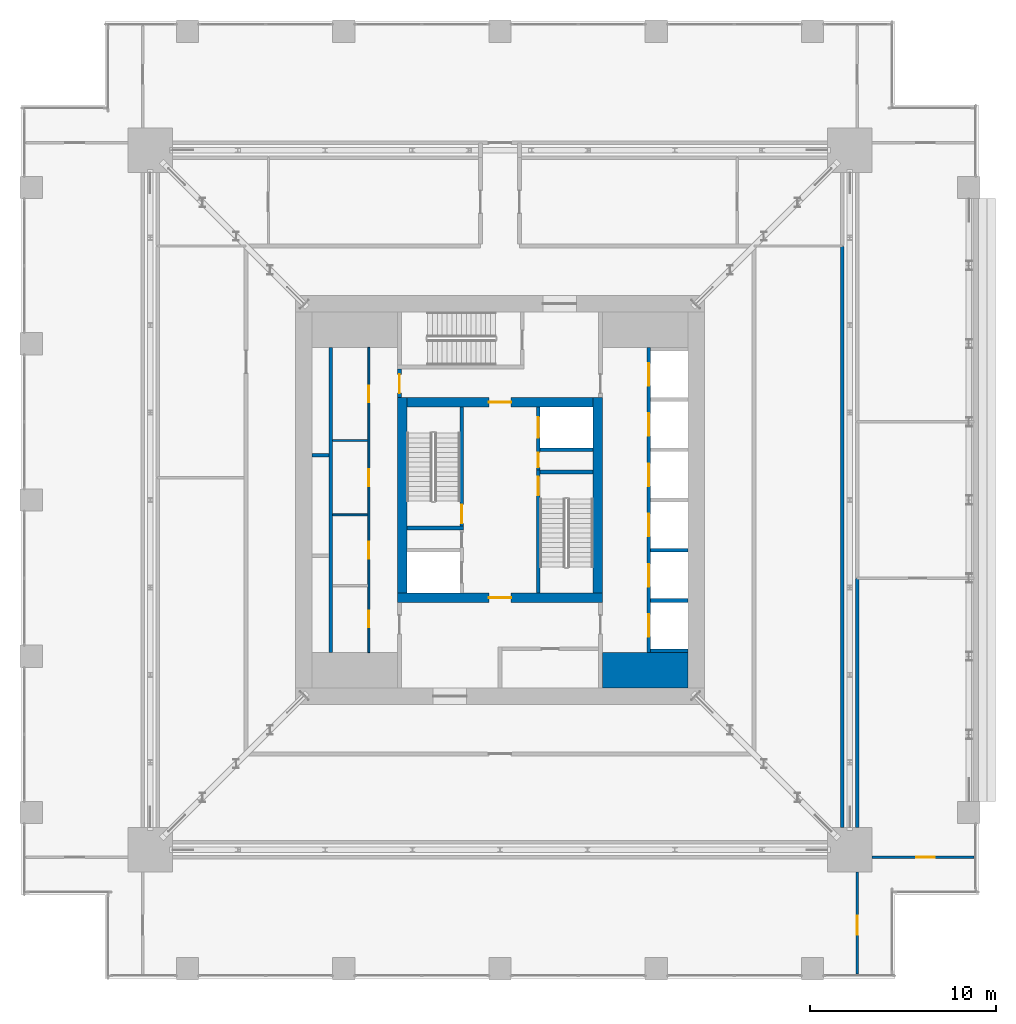
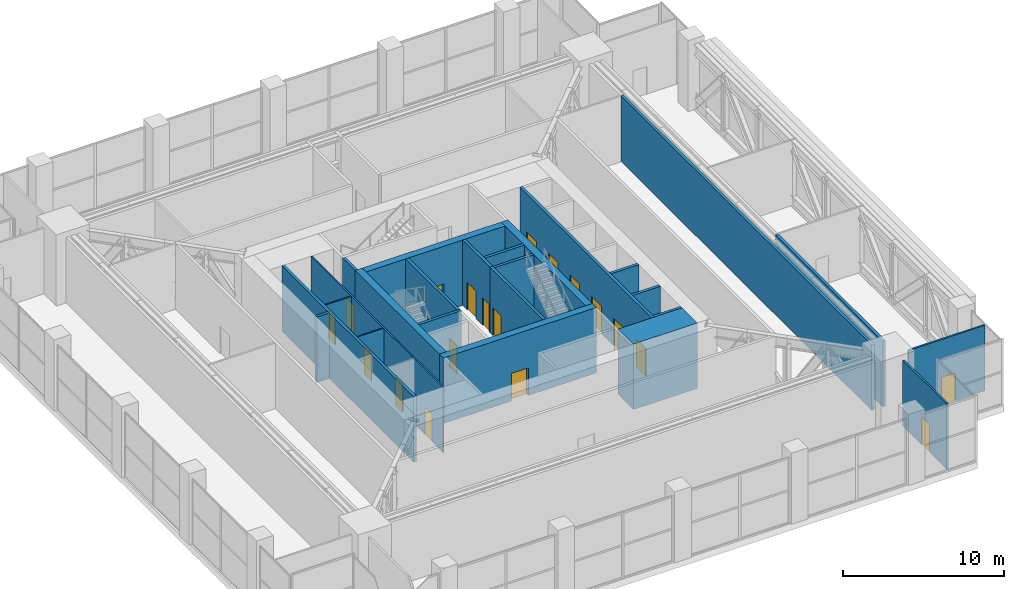
# One storey, part 16 of 21: 25 walls, 19 doors, 19 openings.
"""IFC4 building model written with IfcOpenShell, lengths in metres."""

from ifc_helpers import new_model, si_unit, direction, frame, frame_2d, origin, place, context, subcontext, project, spatial, rectangle, extrude, material, layer, layer_set, type_object, element, fill, save


model = new_model("IFC4")

# Units and contexts
model_context = context("Model", 3, precision=1e-05, world=origin(), true_north=direction((0.0, 1.0)))
body_context = subcontext(model_context, "Body", "Model", "MODEL_VIEW")
ifc_project = project(units=[si_unit("LENGTHUNIT", "METRE"), si_unit("AREAUNIT", "SQUARE_METRE"), si_unit("VOLUMEUNIT", "CUBIC_METRE"), si_unit("PLANEANGLEUNIT", "RADIAN"), si_unit("MASSUNIT", "GRAM", prefix="KILO")], contexts=[model_context])

# Site, building, storey
site_placement = place(None, origin())
site = spatial("IfcSite", under=ifc_project, at=site_placement, CompositionType="ELEMENT")
building_placement = place(site_placement, origin())
building = spatial("IfcBuilding", under=site, at=building_placement, Name="Khepri Terraces", CompositionType="ELEMENT")
storey_placement = place(building_placement, frame((0.0, 0.0, 235.199951171875)))
storey = spatial("IfcBuildingStorey", under=building, at=storey_placement, Name="L56", CompositionType="ELEMENT", Elevation=235.199951171875)

# Wall
ifc_material_1 = material(Name="Concrete C50/60", Category="concrete")
ifc_layer_1 = layer(ifc_material_1, 1.89990234375, Name="Concrete C50/60", Category="concrete")
ifc_layer_set_1 = layer_set([ifc_layer_1], Name="Concrete C50/60")
wall_type_1 = type_object("IfcWallType", Name="Core wall 1900 C50/60", PredefinedType="SHEAR", material=ifc_layer_set_1)
wall_1_placement = place(storey_placement, frame((5.5, -9.14990234375, 0.0), z_axis=(0.0, 0.0, 1.0), x_axis=(1.0, 0.0, 0.0)))
element("IfcWall", 1, at=wall_1_placement, inside=storey, type_object=wall_type_1, Name="Core wall PR02 L56", PredefinedType="SHEAR", context=body_context, shape_type="SweptSolid", body=[
    extrude(rectangle(XDim=4.60009765625, YDim=1.89990234375, at=frame_2d((2.300048828125, 0.0))), origin(), (0.0, 0.0, 1.0), 4.97998046875),
])

# Wall, opening, door
ifc_layer_2 = layer(ifc_material_1, 0.199951171875, Name="Concrete C50/60", Category="concrete")
ifc_layer_set_2 = layer_set([ifc_layer_2], Name="Concrete C50/60")
wall_type_2 = type_object("IfcWallType", Name="Core wall 200 C50/60", PredefinedType="SHEAR", material=ifc_layer_set_2)
wall_2_placement = place(storey_placement, frame((2.050048828125, -5.0, 0.0), z_axis=(0.0, 0.0, 1.0), x_axis=(0.0, 1.0, 0.0)))
wall_2 = element("IfcWall", 2, at=wall_2_placement, inside=storey, type_object=wall_type_2, Name="Core wall ST01 L56", PredefinedType="SHEAR", context=body_context, shape_type="SweptSolid", body=[
    extrude(rectangle(XDim=6.60009765625, YDim=0.199951171875, at=frame_2d((3.300048828125, 0.0))), origin(), (0.0, 0.0, 1.0), 4.97998046875),
])
opening_1_placement = place(wall_2_placement, frame((5.25, 0.0, 0.0)))
opening_1 = element("IfcOpeningElement", 3, at=opening_1_placement, cuts=wall_2, Name="Opening L56-C10", PredefinedType="OPENING", context=body_context, shape_type="SweptSolid", body=[
    extrude(rectangle(XDim=1.0, YDim=2.10009765625, at=frame_2d((0.5, 1.050048828125))), frame((0.0, 0.10986328125, 0.0), z_axis=(0.0, -1.0, 0.0), x_axis=(1.0, 0.0, 0.0)), (0.0, 0.0, 1.0), 0.219970703125),
])
ifc_material_2 = material(Name="Painted steel", Category="steel")
door_type_1 = type_object("IfcDoorType", Name="DR-CORE-STAIR-1000", OperationType="NOTDEFINED", PredefinedType="DOOR", material=ifc_material_2)
door_1_placement = place(opening_1_placement, frame((1.0, 0.0, 0.0), z_axis=(0.0, 0.0, 1.0), x_axis=(-1.0, 0.0, 0.0)))
door_1 = element("IfcDoor", 4, at=door_1_placement, inside=storey, type_object=door_type_1, Name="Stair door L56-C10", OperationType="SINGLE_SWING_LEFT", OverallHeight=2.10009765625, OverallWidth=1.0, PredefinedType="DOOR", context=body_context, shape_type="SweptSolid", body=[
    extrude(rectangle(XDim=1.0, YDim=2.10009765625, at=frame_2d((0.5, 1.050048828125))), frame((0.0, 0.02490234375, 0.0), z_axis=(0.0, -1.0, 0.0), x_axis=(1.0, 0.0, 0.0)), (0.0, 0.0, 1.0), 0.050048828125),
])
fill(opening_1, door_1)

# Wall
wall_3_placement = place(storey_placement, frame((-5.0, -1.5, 0.0), z_axis=(0.0, 0.0, 1.0), x_axis=(1.0, 0.0, 0.0)))
element("IfcWall", 5, at=wall_3_placement, inside=storey, type_object=wall_type_2, Name="Core wall ST02 L56", PredefinedType="SHEAR", context=body_context, shape_type="SweptSolid", body=[
    extrude(rectangle(XDim=3.050048828125, YDim=0.199951171875, at=frame_2d((1.52490234375, 0.0))), origin(), (0.0, 0.0, 1.0), 4.97998046875),
])

# Wall, opening, door
wall_4_placement = place(storey_placement, frame((-2.050048828125, -1.39990234375, 0.0), z_axis=(0.0, 0.0, 1.0), x_axis=(0.0, 1.0, 0.0)))
wall_4 = element("IfcWall", 6, at=wall_4_placement, inside=storey, type_object=wall_type_2, Name="Core wall ST03 L56", PredefinedType="SHEAR", context=body_context, shape_type="SweptSolid", body=[
    extrude(rectangle(XDim=6.39990234375, YDim=0.199951171875, at=frame_2d((3.199951171875, 0.0))), origin(), (0.0, 0.0, 1.0), 4.97998046875),
])
opening_2_placement = place(wall_4_placement, frame((0.14990234375, 0.0, 0.0)))
opening_2 = element("IfcOpeningElement", 7, at=opening_2_placement, cuts=wall_4, Name="Opening L56-C09", PredefinedType="OPENING", context=body_context, shape_type="SweptSolid", body=[
    extrude(rectangle(XDim=1.0, YDim=2.10009765625, at=frame_2d((0.5, 1.050048828125))), frame((0.0, 0.10986328125, 0.0), z_axis=(0.0, -1.0, 0.0), x_axis=(1.0, 0.0, 0.0)), (0.0, 0.0, 1.0), 0.219970703125),
])
door_2_placement = place(opening_2_placement, origin())
door_2 = element("IfcDoor", 8, at=door_2_placement, inside=storey, type_object=door_type_1, Name="Stair door L56-C09", OperationType="SINGLE_SWING_LEFT", OverallHeight=2.10009765625, OverallWidth=1.0, PredefinedType="DOOR", context=body_context, shape_type="SweptSolid", body=[
    extrude(rectangle(XDim=1.0, YDim=2.10009765625, at=frame_2d((0.5, 1.050048828125))), frame((0.0, 0.02490234375, 0.0), z_axis=(0.0, -1.0, 0.0), x_axis=(1.0, 0.0, 0.0)), (0.0, 0.0, 1.0), 0.050048828125),
])
fill(opening_2, door_2)

# Walls
wall_5_placement = place(storey_placement, frame((2.14990234375, 1.5, 0.0), z_axis=(0.0, 0.0, 1.0), x_axis=(1.0, 0.0, 0.0)))
element("IfcWall", 9, at=wall_5_placement, inside=storey, type_object=wall_type_2, Name="Core wall ST04 L56", PredefinedType="SHEAR", context=body_context, shape_type="SweptSolid", body=[
    extrude(rectangle(XDim=2.85009765625, YDim=0.199951171875, at=frame_2d((1.425048828125, 0.0))), origin(), (0.0, 0.0, 1.0), 4.97998046875),
])
wall_6_placement = place(storey_placement, frame((-9.10009765625, -8.199951171875, 0.0), z_axis=(0.0, 0.0, 1.0), x_axis=(0.0, 1.0, 0.0)))
element("IfcWall", 10, at=wall_6_placement, inside=storey, type_object=wall_type_2, Name="Core wall SH01 L56", PredefinedType="SHEAR", context=body_context, shape_type="SweptSolid", body=[
    extrude(rectangle(XDim=16.39990234375, YDim=0.199951171875, at=frame_2d((8.199951171875, 0.0))), origin(), (0.0, 0.0, 1.0), 4.97998046875),
])

# Wall, openings, doors
wall_7_placement = place(storey_placement, frame((8.0, -8.199951171875, 0.0), z_axis=(0.0, 0.0, 1.0), x_axis=(0.0, 1.0, 0.0)))
wall_7 = element("IfcWall", 11, at=wall_7_placement, inside=storey, type_object=wall_type_2, Name="Core wall SH02 L56", PredefinedType="SHEAR", context=body_context, shape_type="SweptSolid", body=[
    extrude(rectangle(XDim=16.39990234375, YDim=0.199951171875, at=frame_2d((8.199951171875, 0.0))), origin(), (0.0, 0.0, 1.0), 4.97998046875),
])
opening_3_placement = place(wall_7_placement, frame((0.85009765625, 0.0, 0.0)))
opening_3 = element("IfcOpeningElement", 12, at=opening_3_placement, cuts=wall_7, Name="Opening L56-C01", PredefinedType="OPENING", context=body_context, shape_type="SweptSolid", body=[
    extrude(rectangle(XDim=1.199951171875, YDim=2.10009765625, at=frame_2d((0.60009765625, 1.050048828125))), frame((0.0, 0.10986328125, 0.0), z_axis=(0.0, -1.0, 0.0), x_axis=(1.0, 0.0, 0.0)), (0.0, 0.0, 1.0), 0.219970703125),
])
opening_4_placement = place(wall_7_placement, frame((3.550048828125, 0.0, 0.0)))
opening_4 = element("IfcOpeningElement", 13, at=opening_4_placement, cuts=wall_7, Name="Opening L56-C02", PredefinedType="OPENING", context=body_context, shape_type="SweptSolid", body=[
    extrude(rectangle(XDim=1.199951171875, YDim=2.10009765625, at=frame_2d((0.60009765625, 1.050048828125))), frame((0.0, 0.10986328125, 0.0), z_axis=(0.0, -1.0, 0.0), x_axis=(1.0, 0.0, 0.0)), (0.0, 0.0, 1.0), 0.219970703125),
])
opening_5_placement = place(wall_7_placement, frame((6.25, 0.0, 0.0)))
opening_5 = element("IfcOpeningElement", 14, at=opening_5_placement, cuts=wall_7, Name="Opening L56-C03", PredefinedType="OPENING", context=body_context, shape_type="SweptSolid", body=[
    extrude(rectangle(XDim=1.199951171875, YDim=2.10009765625, at=frame_2d((0.60009765625, 1.050048828125))), frame((0.0, 0.10986328125, 0.0), z_axis=(0.0, -1.0, 0.0), x_axis=(1.0, 0.0, 0.0)), (0.0, 0.0, 1.0), 0.219970703125),
])
opening_6_placement = place(wall_7_placement, frame((8.949951171875, 0.0, 0.0)))
opening_6 = element("IfcOpeningElement", 15, at=opening_6_placement, cuts=wall_7, Name="Opening L56-C04", PredefinedType="OPENING", context=body_context, shape_type="SweptSolid", body=[
    extrude(rectangle(XDim=1.199951171875, YDim=2.10009765625, at=frame_2d((0.60009765625, 1.050048828125))), frame((0.0, 0.10986328125, 0.0), z_axis=(0.0, -1.0, 0.0), x_axis=(1.0, 0.0, 0.0)), (0.0, 0.0, 1.0), 0.219970703125),
])
opening_7_placement = place(wall_7_placement, frame((11.64990234375, 0.0, 0.0)))
opening_7 = element("IfcOpeningElement", 16, at=opening_7_placement, cuts=wall_7, Name="Opening L56-C05", PredefinedType="OPENING", context=body_context, shape_type="SweptSolid", body=[
    extrude(rectangle(XDim=1.199951171875, YDim=2.10009765625, at=frame_2d((0.60009765625, 1.050048828125))), frame((0.0, 0.10986328125, 0.0), z_axis=(0.0, -1.0, 0.0), x_axis=(1.0, 0.0, 0.0)), (0.0, 0.0, 1.0), 0.219970703125),
])
opening_8_placement = place(wall_7_placement, frame((14.35009765625, 0.0, 0.0)))
opening_8 = element("IfcOpeningElement", 17, at=opening_8_placement, cuts=wall_7, Name="Opening L56-C06", PredefinedType="OPENING", context=body_context, shape_type="SweptSolid", body=[
    extrude(rectangle(XDim=1.199951171875, YDim=2.10009765625, at=frame_2d((0.60009765625, 1.050048828125))), frame((0.0, 0.10986328125, 0.0), z_axis=(0.0, -1.0, 0.0), x_axis=(1.0, 0.0, 0.0)), (0.0, 0.0, 1.0), 0.219970703125),
])
ifc_material_3 = material(Name="Stainless steel 304", Category="steel")
door_type_2 = type_object("IfcDoorType", Name="DR-CORE-LANDING-1200", OperationType="NOTDEFINED", PredefinedType="DOOR", material=ifc_material_3)
door_3_placement = place(opening_3_placement, origin())
door_3 = element("IfcDoor", 18, at=door_3_placement, inside=storey, type_object=door_type_2, Name="Lift landing door L56-C01", OperationType="SLIDING_TO_LEFT", OverallHeight=2.10009765625, OverallWidth=1.199951171875, PredefinedType="DOOR", context=body_context, shape_type="SweptSolid", body=[
    extrude(rectangle(XDim=1.199951171875, YDim=2.10009765625, at=frame_2d((0.60009765625, 1.050048828125))), frame((0.0, 0.02490234375, 0.0), z_axis=(0.0, -1.0, 0.0), x_axis=(1.0, 0.0, 0.0)), (0.0, 0.0, 1.0), 0.050048828125),
])
fill(opening_3, door_3)
door_4_placement = place(opening_4_placement, origin())
door_4 = element("IfcDoor", 19, at=door_4_placement, inside=storey, type_object=door_type_2, Name="Lift landing door L56-C02", OperationType="SLIDING_TO_LEFT", OverallHeight=2.10009765625, OverallWidth=1.199951171875, PredefinedType="DOOR", context=body_context, shape_type="SweptSolid", body=[
    extrude(rectangle(XDim=1.199951171875, YDim=2.10009765625, at=frame_2d((0.60009765625, 1.050048828125))), frame((0.0, 0.02490234375, 0.0), z_axis=(0.0, -1.0, 0.0), x_axis=(1.0, 0.0, 0.0)), (0.0, 0.0, 1.0), 0.050048828125),
])
fill(opening_4, door_4)
door_5_placement = place(opening_5_placement, origin())
door_5 = element("IfcDoor", 20, at=door_5_placement, inside=storey, type_object=door_type_2, Name="Lift landing door L56-C03", OperationType="SLIDING_TO_LEFT", OverallHeight=2.10009765625, OverallWidth=1.199951171875, PredefinedType="DOOR", context=body_context, shape_type="SweptSolid", body=[
    extrude(rectangle(XDim=1.199951171875, YDim=2.10009765625, at=frame_2d((0.60009765625, 1.050048828125))), frame((0.0, 0.02490234375, 0.0), z_axis=(0.0, -1.0, 0.0), x_axis=(1.0, 0.0, 0.0)), (0.0, 0.0, 1.0), 0.050048828125),
])
fill(opening_5, door_5)
door_6_placement = place(opening_6_placement, origin())
door_6 = element("IfcDoor", 21, at=door_6_placement, inside=storey, type_object=door_type_2, Name="Lift landing door L56-C04", OperationType="SLIDING_TO_LEFT", OverallHeight=2.10009765625, OverallWidth=1.199951171875, PredefinedType="DOOR", context=body_context, shape_type="SweptSolid", body=[
    extrude(rectangle(XDim=1.199951171875, YDim=2.10009765625, at=frame_2d((0.60009765625, 1.050048828125))), frame((0.0, 0.02490234375, 0.0), z_axis=(0.0, -1.0, 0.0), x_axis=(1.0, 0.0, 0.0)), (0.0, 0.0, 1.0), 0.050048828125),
])
fill(opening_6, door_6)
door_7_placement = place(opening_7_placement, origin())
door_7 = element("IfcDoor", 22, at=door_7_placement, inside=storey, type_object=door_type_2, Name="Lift landing door L56-C05", OperationType="SLIDING_TO_LEFT", OverallHeight=2.10009765625, OverallWidth=1.199951171875, PredefinedType="DOOR", context=body_context, shape_type="SweptSolid", body=[
    extrude(rectangle(XDim=1.199951171875, YDim=2.10009765625, at=frame_2d((0.60009765625, 1.050048828125))), frame((0.0, 0.02490234375, 0.0), z_axis=(0.0, -1.0, 0.0), x_axis=(1.0, 0.0, 0.0)), (0.0, 0.0, 1.0), 0.050048828125),
])
fill(opening_7, door_7)
door_8_placement = place(opening_8_placement, origin())
door_8 = element("IfcDoor", 23, at=door_8_placement, inside=storey, type_object=door_type_2, Name="Lift landing door L56-C06", OperationType="SLIDING_TO_LEFT", OverallHeight=2.10009765625, OverallWidth=1.199951171875, PredefinedType="DOOR", context=body_context, shape_type="SweptSolid", body=[
    extrude(rectangle(XDim=1.199951171875, YDim=2.10009765625, at=frame_2d((0.60009765625, 1.050048828125))), frame((0.0, 0.02490234375, 0.0), z_axis=(0.0, -1.0, 0.0), x_axis=(1.0, 0.0, 0.0)), (0.0, 0.0, 1.0), 0.050048828125),
])
fill(opening_8, door_8)

# Walls
for number, where, z_axis, x_axis, name in (
    (24, (8.10009765625, -8.10009765625, 0.0), (0.0, 0.0, 1.0), (1.0, 0.0, 0.0), "Core wall SH03 L56"),
    (25, (8.10009765625, -5.39990234375, 0.0), (0.0, 0.0, 1.0), (1.0, 0.0, 0.0), "Core wall SH04 L56"),
    (26, (8.10009765625, -2.699951171875, 0.0), (0.0, 0.0, 1.0), (1.0, 0.0, 0.0), "Core wall SH08 L56"),
):
    element("IfcWall", number, at=place(storey_placement, frame(where, z_axis=z_axis, x_axis=x_axis)), inside=storey, type_object=wall_type_2, Name=name, PredefinedType="SHEAR", context=body_context, shape_type="SweptSolid", body=[
        extrude(rectangle(XDim=2.0, YDim=0.199951171875, at=frame_2d((1.0, 0.0))), origin(), (0.0, 0.0, 1.0), 4.97998046875),
    ])

# Wall, openings, doors
wall_8_placement = place(storey_placement, frame((2.050048828125, 1.60009765625, 0.0), z_axis=(0.0, 0.0, 1.0), x_axis=(0.0, 1.0, 0.0)))
wall_8 = element("IfcWall", 27, at=wall_8_placement, inside=storey, type_object=wall_type_2, Name="Core wall SH10 L56", PredefinedType="SHEAR", context=body_context, shape_type="SweptSolid", body=[
    extrude(rectangle(XDim=3.39990234375, YDim=0.199951171875, at=frame_2d((1.699951171875, 0.0))), origin(), (0.0, 0.0, 1.0), 4.97998046875),
])
opening_9_placement = place(wall_8_placement, frame((1.75, 0.0, 0.0)))
opening_9 = element("IfcOpeningElement", 28, at=opening_9_placement, cuts=wall_8, Name="Opening L56-C07", PredefinedType="OPENING", context=body_context, shape_type="SweptSolid", body=[
    extrude(rectangle(XDim=1.10009765625, YDim=2.10009765625, at=frame_2d((0.550048828125, 1.050048828125))), frame((0.0, 0.10986328125, 0.0), z_axis=(0.0, -1.0, 0.0), x_axis=(1.0, 0.0, 0.0)), (0.0, 0.0, 1.0), 0.219970703125),
])
opening_10_placement = place(wall_8_placement, frame((0.14990234375, 0.0, 0.0)))
opening_10 = element("IfcOpeningElement", 29, at=opening_10_placement, cuts=wall_8, Name="Opening L56-C11", PredefinedType="OPENING", context=body_context, shape_type="SweptSolid", body=[
    extrude(rectangle(XDim=0.800048828125, YDim=2.10009765625, at=frame_2d((0.39990234375, 1.050048828125))), frame((0.0, 0.10986328125, 0.0), z_axis=(0.0, -1.0, 0.0), x_axis=(1.0, 0.0, 0.0)), (0.0, 0.0, 1.0), 0.219970703125),
])
door_type_3 = type_object("IfcDoorType", Name="DR-CORE-FF-LANDING-1100", OperationType="NOTDEFINED", PredefinedType="DOOR", material=ifc_material_3)
door_9_placement = place(opening_9_placement, origin())
door_9 = element("IfcDoor", 30, at=door_9_placement, inside=storey, type_object=door_type_3, Name="Firefighting lift landing door L56-C07", OperationType="SLIDING_TO_LEFT", OverallHeight=2.10009765625, OverallWidth=1.10009765625, PredefinedType="DOOR", context=body_context, shape_type="SweptSolid", body=[
    extrude(rectangle(XDim=1.10009765625, YDim=2.10009765625, at=frame_2d((0.550048828125, 1.050048828125))), frame((0.0, 0.02490234375, 0.0), z_axis=(0.0, -1.0, 0.0), x_axis=(1.0, 0.0, 0.0)), (0.0, 0.0, 1.0), 0.050048828125),
])
fill(opening_9, door_9)
door_type_4 = type_object("IfcDoorType", Name="DR-CORE-RISER-800", OperationType="NOTDEFINED", PredefinedType="DOOR", material=ifc_material_2)
door_10_placement = place(opening_10_placement, frame((0.800048828125, 0.0, 0.0), z_axis=(0.0, 0.0, 1.0), x_axis=(-1.0, 0.0, 0.0)))
door_10 = element("IfcDoor", 31, at=door_10_placement, inside=storey, type_object=door_type_4, Name="Riser door L56-C11", OperationType="SINGLE_SWING_RIGHT", OverallHeight=2.10009765625, OverallWidth=0.800048828125, PredefinedType="DOOR", context=body_context, shape_type="SweptSolid", body=[
    extrude(rectangle(XDim=0.800048828125, YDim=2.10009765625, at=frame_2d((0.39990234375, 1.050048828125))), frame((0.0, 0.02490234375, 0.0), z_axis=(0.0, -1.0, 0.0), x_axis=(1.0, 0.0, 0.0)), (0.0, 0.0, 1.0), 0.050048828125),
])
fill(opening_10, door_10)

# Walls
wall_9_placement = place(storey_placement, frame((-10.10009765625, 2.39990234375, 0.0), z_axis=(0.0, 0.0, 1.0), x_axis=(1.0, 0.0, 0.0)))
element("IfcWall", 32, at=wall_9_placement, inside=storey, type_object=wall_type_2, Name="Core wall SH11 L56", PredefinedType="SHEAR", context=body_context, shape_type="SweptSolid", body=[
    extrude(rectangle(XDim=0.900146484375, YDim=0.199951171875, at=frame_2d((0.4501953125, 0.0))), origin(), (0.0, 0.0, 1.0), 4.97998046875),
])
wall_10_placement = place(storey_placement, frame((2.14990234375, 2.699951171875, 0.0), z_axis=(0.0, 0.0, 1.0), x_axis=(1.0, 0.0, 0.0)))
element("IfcWall", 33, at=wall_10_placement, inside=storey, type_object=wall_type_2, Name="Core wall SH12 L56", PredefinedType="SHEAR", context=body_context, shape_type="SweptSolid", body=[
    extrude(rectangle(XDim=2.85009765625, YDim=0.199951171875, at=frame_2d((1.425048828125, 0.0))), origin(), (0.0, 0.0, 1.0), 4.97998046875),
])

# Wall, opening, door
ifc_layer_3 = layer(ifc_material_1, 0.5, Name="Concrete C50/60", Category="concrete")
ifc_layer_set_3 = layer_set([ifc_layer_3], Name="Concrete C50/60")
wall_type_3 = type_object("IfcWallType", Name="Core wall 500 C50/60", PredefinedType="SHEAR", material=ifc_layer_set_3)
wall_11_placement = place(storey_placement, frame((-5.5, -5.25, 0.0), z_axis=(0.0, 0.0, 1.0), x_axis=(1.0, 0.0, 0.0)))
wall_11 = element("IfcWall", 34, at=wall_11_placement, inside=storey, type_object=wall_type_3, Name="Core wall BX01 L56", PredefinedType="SHEAR", context=body_context, shape_type="SweptSolid", body=[
    extrude(rectangle(XDim=11.0, YDim=0.5, at=frame_2d((5.5, 0.0))), origin(), (0.0, 0.0, 1.0), 4.97998046875),
])
opening_11_placement = place(wall_11_placement, frame((4.89990234375, 0.0, 0.0)))
opening_11 = element("IfcOpeningElement", 35, at=opening_11_placement, cuts=wall_11, Name="Opening L56-C14", PredefinedType="OPENING", context=body_context, shape_type="SweptSolid", body=[
    extrude(rectangle(XDim=1.199951171875, YDim=2.10009765625, at=frame_2d((0.60009765625, 1.050048828125))), frame((0.0, 0.260009765625, 0.0), z_axis=(0.0, -1.0, 0.0), x_axis=(1.0, 0.0, 0.0)), (0.0, 0.0, 1.0), 0.52001953125),
])
door_type_5 = type_object("IfcDoorType", Name="DR-CORE-FF-LOBBY-1200", OperationType="NOTDEFINED", PredefinedType="DOOR", material=ifc_material_2)
door_11_placement = place(opening_11_placement, origin())
door_11 = element("IfcDoor", 36, at=door_11_placement, inside=storey, type_object=door_type_5, Name="Firefighting lobby door L56-C14", OperationType="SINGLE_SWING_RIGHT", OverallHeight=2.10009765625, OverallWidth=1.199951171875, PredefinedType="DOOR", context=body_context, shape_type="SweptSolid", body=[
    extrude(rectangle(XDim=1.199951171875, YDim=2.10009765625, at=frame_2d((0.60009765625, 1.050048828125))), frame((0.0, 0.02490234375, 0.0), z_axis=(0.0, -1.0, 0.0), x_axis=(1.0, 0.0, 0.0)), (0.0, 0.0, 1.0), 0.050048828125),
])
fill(opening_11, door_11)

# Walls
for number, where, z_axis, x_axis, name in (
    (37, (-5.25, -5.0, 0.0), (0.0, 0.0, 1.0), (0.0, 1.0, 0.0), "Core wall BX02 L56"),
    (38, (5.25, -5.0, 0.0), (0.0, 0.0, 1.0), (0.0, 1.0, 0.0), "Core wall BX03 L56"),
):
    element("IfcWall", number, at=place(storey_placement, frame(where, z_axis=z_axis, x_axis=x_axis)), inside=storey, type_object=wall_type_3, Name=name, PredefinedType="SHEAR", context=body_context, shape_type="SweptSolid", body=[
        extrude(rectangle(XDim=10.5, YDim=0.5, at=frame_2d((5.25, 0.0))), origin(), (0.0, 0.0, 1.0), 4.97998046875),
    ])

# Wall, opening, door
wall_12_placement = place(storey_placement, frame((-5.0, 5.25, 0.0), z_axis=(0.0, 0.0, 1.0), x_axis=(1.0, 0.0, 0.0)))
wall_12 = element("IfcWall", 39, at=wall_12_placement, inside=storey, type_object=wall_type_3, Name="Core wall BX04 L56", PredefinedType="SHEAR", context=body_context, shape_type="SweptSolid", body=[
    extrude(rectangle(XDim=10.0, YDim=0.5, at=frame_2d((5.0, 0.0))), origin(), (0.0, 0.0, 1.0), 4.97998046875),
])
opening_12_placement = place(wall_12_placement, frame((4.39990234375, 0.0, 0.0)))
opening_12 = element("IfcOpeningElement", 40, at=opening_12_placement, cuts=wall_12, Name="Opening L56-C13", PredefinedType="OPENING", context=body_context, shape_type="SweptSolid", body=[
    extrude(rectangle(XDim=1.199951171875, YDim=2.10009765625, at=frame_2d((0.60009765625, 1.050048828125))), frame((0.0, 0.260009765625, 0.0), z_axis=(0.0, -1.0, 0.0), x_axis=(1.0, 0.0, 0.0)), (0.0, 0.0, 1.0), 0.52001953125),
])
door_12_placement = place(opening_12_placement, frame((1.199951171875, 0.0, 0.0), z_axis=(0.0, 0.0, 1.0), x_axis=(-1.0, 0.0, 0.0)))
door_12 = element("IfcDoor", 41, at=door_12_placement, inside=storey, type_object=door_type_5, Name="Firefighting lobby door L56-C13", OperationType="SINGLE_SWING_LEFT", OverallHeight=2.10009765625, OverallWidth=1.199951171875, PredefinedType="DOOR", context=body_context, shape_type="SweptSolid", body=[
    extrude(rectangle(XDim=1.199951171875, YDim=2.10009765625, at=frame_2d((0.60009765625, 1.050048828125))), frame((0.0, 0.02490234375, 0.0), z_axis=(0.0, -1.0, 0.0), x_axis=(1.0, 0.0, 0.0)), (0.0, 0.0, 1.0), 0.050048828125),
])
fill(opening_12, door_12)

# Wall, openings, doors
ifc_material_4 = material(Name="Fire-rated gypsum board partition")
ifc_layer_4 = layer(ifc_material_4, 0.10009765625, Name="Fire-rated gypsum board partition")
ifc_layer_set_4 = layer_set([ifc_layer_4], Name="Fire-rated gypsum board partition")
wall_type_4 = type_object("IfcWallType", Name="WL-CORE-PART-100", PredefinedType="PARTITIONING", material=ifc_layer_set_4)
wall_13_placement = place(storey_placement, frame((-7.050048828125, -8.199951171875, 0.0), z_axis=(0.0, 0.0, 1.0), x_axis=(0.0, 1.0, 0.0)))
wall_13 = element("IfcWall", 42, at=wall_13_placement, inside=storey, type_object=wall_type_4, Name="Core partition PT04 L56", PredefinedType="PARTITIONING", context=body_context, shape_type="SweptSolid", body=[
    extrude(rectangle(XDim=16.39990234375, YDim=0.10009765625, at=frame_2d((8.199951171875, 0.0))), origin(), (0.0, 0.0, 1.0), 4.97998046875),
])
opening_13_placement = place(wall_13_placement, frame((1.35009765625, 0.0, 0.0)))
opening_13 = element("IfcOpeningElement", 43, at=opening_13_placement, cuts=wall_13, Name="Opening L56-C23", PredefinedType="OPENING", context=body_context, shape_type="SweptSolid", body=[
    extrude(rectangle(XDim=0.89990234375, YDim=2.10009765625, at=frame_2d((0.449951171875, 1.050048828125))), frame((0.0, 0.06005859375, 0.0), z_axis=(0.0, -1.0, 0.0), x_axis=(1.0, 0.0, 0.0)), (0.0, 0.0, 1.0), 0.1201171875),
])
opening_14_placement = place(wall_13_placement, frame((5.050048828125, 0.0, 0.0)))
opening_14 = element("IfcOpeningElement", 44, at=opening_14_placement, cuts=wall_13, Name="Opening L56-C24", PredefinedType="OPENING", context=body_context, shape_type="SweptSolid", body=[
    extrude(rectangle(XDim=0.89990234375, YDim=2.10009765625, at=frame_2d((0.449951171875, 1.050048828125))), frame((0.0, 0.06005859375, 0.0), z_axis=(0.0, -1.0, 0.0), x_axis=(1.0, 0.0, 0.0)), (0.0, 0.0, 1.0), 0.1201171875),
])
opening_15_placement = place(wall_13_placement, frame((8.949951171875, 0.0, 0.0)))
opening_15 = element("IfcOpeningElement", 45, at=opening_15_placement, cuts=wall_13, Name="Opening L56-C25", PredefinedType="OPENING", context=body_context, shape_type="SweptSolid", body=[
    extrude(rectangle(XDim=0.89990234375, YDim=2.10009765625, at=frame_2d((0.449951171875, 1.050048828125))), frame((0.0, 0.06005859375, 0.0), z_axis=(0.0, -1.0, 0.0), x_axis=(1.0, 0.0, 0.0)), (0.0, 0.0, 1.0), 0.1201171875),
])
opening_16_placement = place(wall_13_placement, frame((13.449951171875, 0.0, 0.0)))
opening_16 = element("IfcOpeningElement", 46, at=opening_16_placement, cuts=wall_13, Name="Opening L56-C26", PredefinedType="OPENING", context=body_context, shape_type="SweptSolid", body=[
    extrude(rectangle(XDim=0.89990234375, YDim=2.10009765625, at=frame_2d((0.449951171875, 1.050048828125))), frame((0.0, 0.06005859375, 0.0), z_axis=(0.0, -1.0, 0.0), x_axis=(1.0, 0.0, 0.0)), (0.0, 0.0, 1.0), 0.1201171875),
])
door_type_6 = type_object("IfcDoorType", Name="DR-CORE-SERVICE-900", OperationType="NOTDEFINED", PredefinedType="DOOR", material=ifc_material_2)
door_13_placement = place(opening_13_placement, origin())
door_13 = element("IfcDoor", 47, at=door_13_placement, inside=storey, type_object=door_type_6, Name="Service room door L56-C23", OperationType="SINGLE_SWING_LEFT", OverallHeight=2.10009765625, OverallWidth=0.89990234375, PredefinedType="DOOR", context=body_context, shape_type="SweptSolid", body=[
    extrude(rectangle(XDim=0.89990234375, YDim=2.10009765625, at=frame_2d((0.449951171875, 1.050048828125))), frame((0.0, 0.02490234375, 0.0), z_axis=(0.0, -1.0, 0.0), x_axis=(1.0, 0.0, 0.0)), (0.0, 0.0, 1.0), 0.050048828125),
])
fill(opening_13, door_13)
door_14_placement = place(opening_14_placement, origin())
door_14 = element("IfcDoor", 48, at=door_14_placement, inside=storey, type_object=door_type_6, Name="Service room door L56-C24", OperationType="SINGLE_SWING_LEFT", OverallHeight=2.10009765625, OverallWidth=0.89990234375, PredefinedType="DOOR", context=body_context, shape_type="SweptSolid", body=[
    extrude(rectangle(XDim=0.89990234375, YDim=2.10009765625, at=frame_2d((0.449951171875, 1.050048828125))), frame((0.0, 0.02490234375, 0.0), z_axis=(0.0, -1.0, 0.0), x_axis=(1.0, 0.0, 0.0)), (0.0, 0.0, 1.0), 0.050048828125),
])
fill(opening_14, door_14)
door_15_placement = place(opening_15_placement, origin())
door_15 = element("IfcDoor", 49, at=door_15_placement, inside=storey, type_object=door_type_6, Name="Service room door L56-C25", OperationType="SINGLE_SWING_RIGHT", OverallHeight=2.10009765625, OverallWidth=0.89990234375, PredefinedType="DOOR", context=body_context, shape_type="SweptSolid", body=[
    extrude(rectangle(XDim=0.89990234375, YDim=2.10009765625, at=frame_2d((0.449951171875, 1.050048828125))), frame((0.0, 0.02490234375, 0.0), z_axis=(0.0, -1.0, 0.0), x_axis=(1.0, 0.0, 0.0)), (0.0, 0.0, 1.0), 0.050048828125),
])
fill(opening_15, door_15)
door_16_placement = place(opening_16_placement, origin())
door_16 = element("IfcDoor", 50, at=door_16_placement, inside=storey, type_object=door_type_6, Name="Service room door L56-C26", OperationType="SINGLE_SWING_RIGHT", OverallHeight=2.10009765625, OverallWidth=0.89990234375, PredefinedType="DOOR", context=body_context, shape_type="SweptSolid", body=[
    extrude(rectangle(XDim=0.89990234375, YDim=2.10009765625, at=frame_2d((0.449951171875, 1.050048828125))), frame((0.0, 0.02490234375, 0.0), z_axis=(0.0, -1.0, 0.0), x_axis=(1.0, 0.0, 0.0)), (0.0, 0.0, 1.0), 0.050048828125),
])
fill(opening_16, door_16)

# Walls
for number, where, z_axis, x_axis, name in (
    (51, (-9.0, -0.800048828125, 0.0), (0.0, 0.0, 1.0), (1.0, 0.0, 0.0), "Core partition PT07 L56"),
    (52, (-9.0, 3.199951171875, 0.0), (0.0, 0.0, 1.0), (1.0, 0.0, 0.0), "Core partition PT08 L56"),
):
    element("IfcWall", number, at=place(storey_placement, frame(where, z_axis=z_axis, x_axis=x_axis)), inside=storey, type_object=wall_type_4, Name=name, PredefinedType="PARTITIONING", context=body_context, shape_type="SweptSolid", body=[
        extrude(rectangle(XDim=1.89990234375, YDim=0.10009765625, at=frame_2d((0.949951171875, 0.0))), origin(), (0.0, 0.0, 1.0), 4.97998046875),
    ])

# Wall, opening, door
ifc_layer_5 = layer(ifc_material_4, 0.199951171875, Name="Fire-rated gypsum board partition")
ifc_layer_set_5 = layer_set([ifc_layer_5], Name="Fire-rated gypsum board partition")
wall_type_5 = type_object("IfcWallType", Name="WL-CORE-PART-200", PredefinedType="PARTITIONING", material=ifc_layer_set_5)
wall_14_placement = place(storey_placement, frame((-5.39990234375, 5.5, 0.0), z_axis=(0.0, 0.0, 1.0), x_axis=(0.0, 1.0, 0.0)))
wall_14 = element("IfcWall", 53, at=wall_14_placement, inside=storey, type_object=wall_type_5, Name="Core partition PT09 L56", PredefinedType="PARTITIONING", context=body_context, shape_type="SweptSolid", body=[
    extrude(rectangle(XDim=1.550048828125, YDim=0.199951171875, at=frame_2d((0.77490234375, 0.0))), origin(), (0.0, 0.0, 1.0), 4.97998046875),
])
opening_17_placement = place(wall_14_placement, frame((0.25, 0.0, 0.0)))
opening_17 = element("IfcOpeningElement", 54, at=opening_17_placement, cuts=wall_14, Name="Opening L56-C16", PredefinedType="OPENING", context=body_context, shape_type="SweptSolid", body=[
    extrude(rectangle(XDim=1.0, YDim=2.10009765625, at=frame_2d((0.5, 1.050048828125))), frame((0.0, 0.10986328125, 0.0), z_axis=(0.0, -1.0, 0.0), x_axis=(1.0, 0.0, 0.0)), (0.0, 0.0, 1.0), 0.219970703125),
])
door_type_7 = type_object("IfcDoorType", Name="DR-CORE-LOBBY-1000", OperationType="NOTDEFINED", PredefinedType="DOOR", material=ifc_material_2)
door_17_placement = place(opening_17_placement, frame((1.0, 0.0, 0.0), z_axis=(0.0, 0.0, 1.0), x_axis=(-1.0, 0.0, 0.0)))
door_17 = element("IfcDoor", 55, at=door_17_placement, inside=storey, type_object=door_type_7, Name="Lobby door L56-C16", OperationType="SINGLE_SWING_RIGHT", OverallHeight=2.10009765625, OverallWidth=1.0, PredefinedType="DOOR", context=body_context, shape_type="SweptSolid", body=[
    extrude(rectangle(XDim=1.0, YDim=2.10009765625, at=frame_2d((0.5, 1.050048828125))), frame((0.0, 0.02490234375, 0.0), z_axis=(0.0, -1.0, 0.0), x_axis=(1.0, 0.0, 0.0)), (0.0, 0.0, 1.0), 0.050048828125),
])
fill(opening_17, door_17)

# Walls
ifc_material_5 = material(Name="Fire-rated gypsum plasterboard partition, mineral wool")
ifc_layer_6 = layer(ifc_material_5, 0.199951171875, Name="Fire-rated gypsum plasterboard partition, mineral wool")
ifc_layer_set_6 = layer_set([ifc_layer_6], Name="Fire-rated gypsum plasterboard partition, mineral wool")
wall_type_6 = type_object("IfcWallType", Name="WL-CORR-200", PredefinedType="PARTITIONING", material=ifc_layer_set_6)
wall_15_placement = place(storey_placement, frame((18.39990234375, -17.60009765625, 0.0), z_axis=(0.0, 0.0, 1.0), x_axis=(0.0, 1.0, 0.0)))
element("IfcWall", 56, at=wall_15_placement, inside=storey, type_object=wall_type_6, Name="Partition P-009 L56", PredefinedType="PARTITIONING", context=body_context, shape_type="SweptSolid", body=[
    extrude(rectangle(XDim=31.22998046875, YDim=0.199951171875, at=frame_2d((15.614990234375, 0.0))), origin(), (0.0, 0.0, 1.0), 4.97998046875),
])
wall_16_placement = place(storey_placement, frame((19.199951171875, -17.60009765625, 0.0), z_axis=(0.0, 0.0, 1.0), x_axis=(0.0, 1.0, 0.0)))
element("IfcWall", 57, at=wall_16_placement, inside=storey, type_object=wall_type_6, Name="Partition P-010 L56", PredefinedType="PARTITIONING", context=body_context, shape_type="SweptSolid", body=[
    extrude(rectangle(XDim=13.380126953125, YDim=0.199951171875, at=frame_2d((6.68994140625, 0.0))), origin(), (0.0, 0.0, 1.0), 4.97998046875),
])

# Wall, opening, door
ifc_material_6 = material(Name="Gypsum plasterboard partition")
ifc_layer_7 = layer(ifc_material_6, 0.1201171875, Name="Gypsum plasterboard partition")
ifc_layer_set_7 = layer_set([ifc_layer_7], Name="Gypsum plasterboard partition")
wall_type_7 = type_object("IfcWallType", Name="WL-PART-120", PredefinedType="PARTITIONING", material=ifc_layer_set_7)
wall_17_placement = place(storey_placement, frame((19.199951171875, -25.469970703125, 0.0), z_axis=(0.0, 0.0, 1.0), x_axis=(0.0, 1.0, 0.0)))
wall_17 = element("IfcWall", 58, at=wall_17_placement, inside=storey, type_object=wall_type_7, Name="Partition P-002 L56", PredefinedType="PARTITIONING", context=body_context, shape_type="SweptSolid", body=[
    extrude(rectangle(XDim=5.469970703125, YDim=0.1201171875, at=frame_2d((2.73486328125, 0.0))), origin(), (0.0, 0.0, 1.0), 4.97998046875),
])
opening_18_placement = place(wall_17_placement, frame((2.110107421875, 0.0, 0.0)))
opening_18 = element("IfcOpeningElement", 59, at=opening_18_placement, cuts=wall_17, Name="Opening D2", PredefinedType="OPENING", context=body_context, shape_type="SweptSolid", body=[
    extrude(rectangle(XDim=1.0, YDim=2.10009765625, at=frame_2d((0.5, 1.050048828125))), frame((0.0, 0.070068359375, 0.0), z_axis=(0.0, -1.0, 0.0), x_axis=(1.0, 0.0, 0.0)), (0.0, 0.0, 1.0), 0.14013671875),
])
ifc_material_7 = material(Name="Timber door leaf, living room door", Category="wood")
door_type_8 = type_object("IfcDoorType", Name="DR-INT-1000", OperationType="NOTDEFINED", PredefinedType="DOOR", material=ifc_material_7)
door_18_placement = place(opening_18_placement, frame((1.0, 0.0, 0.0), z_axis=(0.0, 0.0, 1.0), x_axis=(-1.0, 0.0, 0.0)))
door_18 = element("IfcDoor", 60, at=door_18_placement, inside=storey, type_object=door_type_8, Name="Door Meditation Room", OperationType="SINGLE_SWING_RIGHT", OverallHeight=2.10009765625, OverallWidth=1.0, PredefinedType="DOOR", context=body_context, shape_type="SweptSolid", body=[
    extrude(rectangle(XDim=1.0, YDim=2.10009765625, at=frame_2d((0.5, 1.050048828125))), frame((0.0, 0.02490234375, 0.0), z_axis=(0.0, -1.0, 0.0), x_axis=(1.0, 0.0, 0.0)), (0.0, 0.0, 1.0), 0.050048828125),
])
fill(opening_18, door_18)

wall_18_placement = place(storey_placement, frame((20.0, -19.199951171875, 0.0), z_axis=(0.0, 0.0, 1.0), x_axis=(1.0, 0.0, 0.0)))
wall_18 = element("IfcWall", 61, at=wall_18_placement, inside=storey, type_object=wall_type_7, Name="Partition P-005 L56", PredefinedType="PARTITIONING", context=body_context, shape_type="SweptSolid", body=[
    extrude(rectangle(XDim=5.469970703125, YDim=0.1201171875, at=frame_2d((2.73486328125, 0.0))), origin(), (0.0, 0.0, 1.0), 4.97998046875),
])
opening_19_placement = place(wall_18_placement, frame((2.360107421875, 0.0, 0.0)))
opening_19 = element("IfcOpeningElement", 62, at=opening_19_placement, cuts=wall_18, Name="Opening D2", PredefinedType="OPENING", context=body_context, shape_type="SweptSolid", body=[
    extrude(rectangle(XDim=1.0, YDim=2.10009765625, at=frame_2d((0.5, 1.050048828125))), frame((0.0, 0.070068359375, 0.0), z_axis=(0.0, -1.0, 0.0), x_axis=(1.0, 0.0, 0.0)), (0.0, 0.0, 1.0), 0.14013671875),
])
door_19_placement = place(opening_19_placement, origin())
door_19 = element("IfcDoor", 63, at=door_19_placement, inside=storey, type_object=door_type_8, Name="Door Club Kitchen", OperationType="SINGLE_SWING_RIGHT", OverallHeight=2.10009765625, OverallWidth=1.0, PredefinedType="DOOR", context=body_context, shape_type="SweptSolid", body=[
    extrude(rectangle(XDim=1.0, YDim=2.10009765625, at=frame_2d((0.5, 1.050048828125))), frame((0.0, 0.02490234375, 0.0), z_axis=(0.0, -1.0, 0.0), x_axis=(1.0, 0.0, 0.0)), (0.0, 0.0, 1.0), 0.050048828125),
])
fill(opening_19, door_19)

save(model, "model.ifc")
